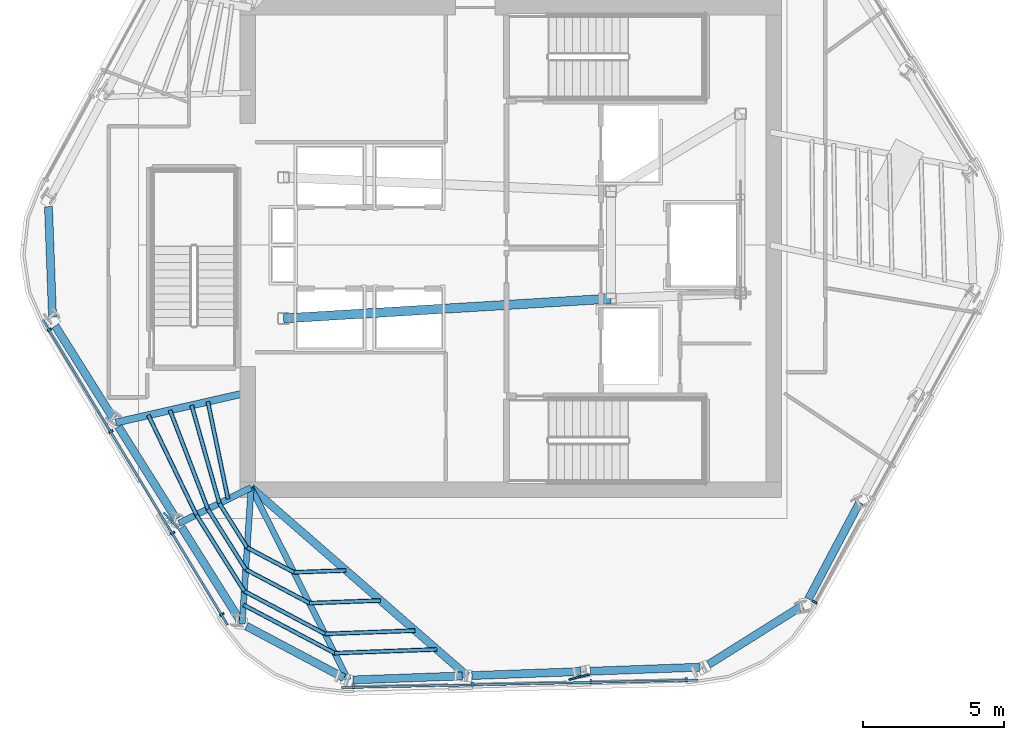
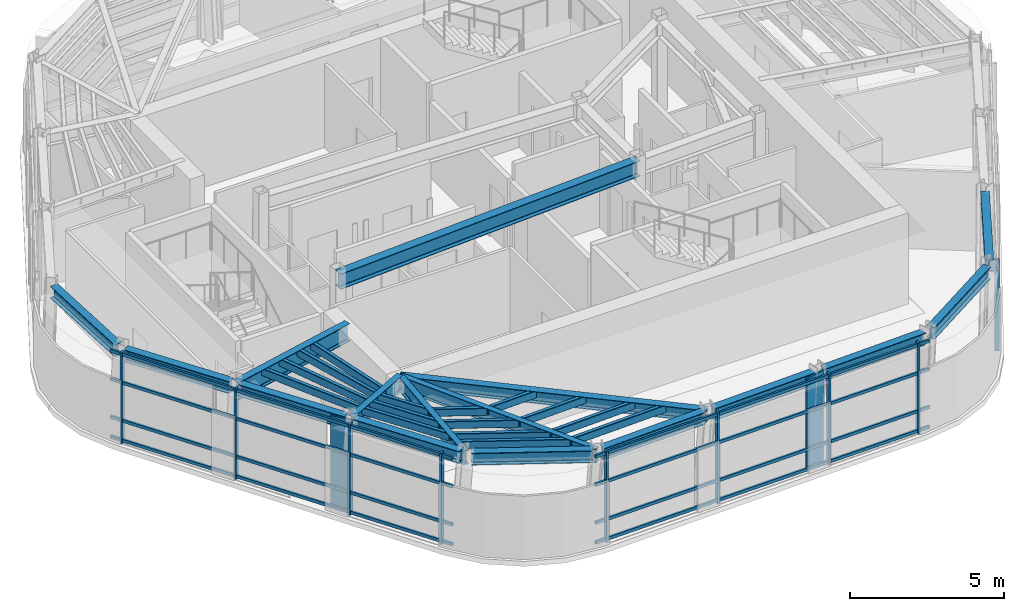
# One storey, part 2 of 13: 34 members, 16 beams, 3 elements without a shape of their own.
"""IFC4 building model written with IfcOpenShell, lengths in metres."""

from ifc_helpers import new_model, si_unit, direction, frame, origin, origin_2d, place, context, subcontext, project, spatial, rectangle, hollow_rectangle, i_section, extrude, material, layer, layer_set, material_profile, profile_set, type_object, element, aggregate, save


model = new_model("IFC4")

# Units and contexts
model_context = context("Model", 3, precision=1e-05, world=origin(), true_north=direction((0.0, 1.0)))
body_context = subcontext(model_context, "Body", "Model", "MODEL_VIEW")
ifc_project = project(units=[si_unit("LENGTHUNIT", "METRE"), si_unit("AREAUNIT", "SQUARE_METRE"), si_unit("VOLUMEUNIT", "CUBIC_METRE"), si_unit("PLANEANGLEUNIT", "RADIAN"), si_unit("MASSUNIT", "GRAM", prefix="KILO")], contexts=[model_context])

# Site, building, storey
site_placement = place(None, origin())
site = spatial("IfcSite", under=ifc_project, at=site_placement, CompositionType="ELEMENT")
building_placement = place(site_placement, origin())
building = spatial("IfcBuilding", under=site, at=building_placement, Name="Valkerne Bourse Tower", CompositionType="ELEMENT")
storey_placement = place(building_placement, frame((0.0, 0.0, 288.800048828125)))
storey = spatial("IfcBuildingStorey", under=building, at=storey_placement, Name="L73", CompositionType="ELEMENT", Elevation=288.800048828125)

# Beams
ifc_material_1 = material(Name="Steel ASTM A992", Category="steel")
ifc_material_profile_1 = material_profile(ifc_material_1, i_section(OverallWidth=0.284423828125, OverallDepth=0.47509765625, WebThickness=0.014892578125, FlangeThickness=0.02392578125, FilletRadius=0.017822265625, at=origin_2d()), Name="W18X106")
ifc_profile_set_1 = profile_set([ifc_material_profile_1], Name="Steel ASTM A992")
beam_type_1 = type_object("IfcBeamType", Name="BM-W18X106", PredefinedType="BEAM", material=ifc_profile_set_1)
beam_1_placement = place(storey_placement, frame((30.417724609375, 28.3583984375, 3.362548828125), z_axis=(0.036661137987, -0.999327754524, 0.0), x_axis=(0.999327754524, 0.036661137987, 0.0)))
element("IfcBeam", 1, at=beam_1_placement, inside=storey, type_object=beam_type_1, Name="L73 Hexagonal Spandrel Ring Beam 07", PredefinedType="BEAM", context=body_context, shape_type="SweptSolid", body=[
    extrude(i_section(OverallWidth=0.284423828125, OverallDepth=0.47509765625, WebThickness=0.014892578125, FlangeThickness=0.02392578125, FilletRadius=0.017822265625, at=origin_2d()), origin(), (0.0, 0.0, 1.0), 3.915771484375),
])
beam_2_placement = place(storey_placement, frame((30.65771484375, 24.131591796875, 3.362548828125), z_axis=(0.531381073492, -0.847132902639, 0.0), x_axis=(0.847132902639, 0.531381073492, 0.0)))
element("IfcBeam", 2, at=beam_2_placement, inside=storey, type_object=beam_type_1, Name="L73 Hexagonal Spandrel Ring Beam 08", PredefinedType="BEAM", context=body_context, shape_type="SweptSolid", body=[
    extrude(i_section(OverallWidth=0.284423828125, OverallDepth=0.47509765625, WebThickness=0.014892578125, FlangeThickness=0.02392578125, FilletRadius=0.017822265625, at=origin_2d()), origin(), (0.0, 0.0, 1.0), 3.872314453125),
])
for number, where, z_axis, x_axis, name in (
    (3, (32.89599609375, 20.5634765625, 3.362548828125), (0.531409456461, -0.847115098191, 0.0), (0.847115098191, 0.531409456461, 0.0), "L73 Hexagonal Spandrel Ring Beam 09"),
    (4, (35.13427734375, 16.995361328125, 3.362548828125), (0.531409456461, -0.847115098191, 0.0), (0.847115098191, 0.531409456461, 0.0), "L73 Hexagonal Spandrel Ring Beam 10"),
):
    element("IfcBeam", number, at=place(storey_placement, frame(where, z_axis=z_axis, x_axis=x_axis)), inside=storey, type_object=beam_type_1, Name=name, PredefinedType="BEAM", context=body_context, shape_type="SweptSolid", body=[
        extrude(i_section(OverallWidth=0.284423828125, OverallDepth=0.47509765625, WebThickness=0.014892578125, FlangeThickness=0.02392578125, FilletRadius=0.017822265625, at=origin_2d()), origin(), (0.0, 0.0, 1.0), 3.8720703125),
    ])
beam_3_placement = place(storey_placement, frame((37.432373046875, 13.49169921875, 3.362548828125), z_axis=(0.883772750327, -0.467916366223, 0.0), x_axis=(0.467916366223, 0.883772750327, 0.0)))
element("IfcBeam", 5, at=beam_3_placement, inside=storey, type_object=beam_type_1, Name="L73 Hexagonal Spandrel Ring Beam 11", PredefinedType="BEAM", context=body_context, shape_type="SweptSolid", body=[
    extrude(i_section(OverallWidth=0.284423828125, OverallDepth=0.47509765625, WebThickness=0.014892578125, FlangeThickness=0.02392578125, FilletRadius=0.017822265625, at=origin_2d()), origin(), (0.0, 0.0, 1.0), 3.915771484375),
])
beam_4_placement = place(storey_placement, frame((41.213134765625, 11.586181640625, 3.362548828125), z_axis=(0.999328754959, 0.036633857444, 0.0), x_axis=(-0.036633857444, 0.999328754959, 0.0)))
element("IfcBeam", 6, at=beam_4_placement, inside=storey, type_object=beam_type_1, Name="L73 Hexagonal Spandrel Ring Beam 12", PredefinedType="BEAM", context=body_context, shape_type="SweptSolid", body=[
    extrude(i_section(OverallWidth=0.284423828125, OverallDepth=0.47509765625, WebThickness=0.014892578125, FlangeThickness=0.02392578125, FilletRadius=0.017822265625, at=origin_2d()), origin(), (0.0, 0.0, 1.0), 3.8720703125),
])
beam_5_placement = place(storey_placement, frame((45.42236328125, 11.740478515625, 3.362548828125), z_axis=(0.999328670332, 0.036636165918, 0.0), x_axis=(-0.036636165918, 0.999328670332, 0.0)))
element("IfcBeam", 7, at=beam_5_placement, inside=storey, type_object=beam_type_1, Name="L73 Hexagonal Spandrel Ring Beam 13", PredefinedType="BEAM", context=body_context, shape_type="SweptSolid", body=[
    extrude(i_section(OverallWidth=0.284423828125, OverallDepth=0.47509765625, WebThickness=0.014892578125, FlangeThickness=0.02392578125, FilletRadius=0.017822265625, at=origin_2d()), origin(), (0.0, 0.0, 1.0), 3.871826171875),
])
beam_6_placement = place(storey_placement, frame((49.63134765625, 11.894775390625, 3.362548828125), z_axis=(0.999326444653, 0.036696825717, 0.0), x_axis=(-0.036696825717, 0.999326444653, 0.0)))
element("IfcBeam", 8, at=beam_6_placement, inside=storey, type_object=beam_type_1, Name="L73 Hexagonal Spandrel Ring Beam 14", PredefinedType="BEAM", context=body_context, shape_type="SweptSolid", body=[
    extrude(i_section(OverallWidth=0.284423828125, OverallDepth=0.47509765625, WebThickness=0.014892578125, FlangeThickness=0.02392578125, FilletRadius=0.017822265625, at=origin_2d()), origin(), (0.0, 0.0, 1.0), 3.8720703125),
])
beam_7_placement = place(storey_placement, frame((53.814697265625, 12.13330078125, 3.362548828125), z_axis=(0.847107374314, 0.531421768827, 0.0), x_axis=(-0.531421768827, 0.847107374314, 0.0)))
element("IfcBeam", 9, at=beam_7_placement, inside=storey, type_object=beam_type_1, Name="L73 Hexagonal Spandrel Ring Beam 15", PredefinedType="BEAM", context=body_context, shape_type="SweptSolid", body=[
    extrude(i_section(OverallWidth=0.284423828125, OverallDepth=0.47509765625, WebThickness=0.014892578125, FlangeThickness=0.02392578125, FilletRadius=0.017822265625, at=origin_2d()), origin(), (0.0, 0.0, 1.0), 3.91552734375),
])
beam_8_placement = place(storey_placement, frame((57.355224609375, 14.45458984375, 3.362548828125), z_axis=(0.467899308077, 0.883781781608, 0.0), x_axis=(-0.883781781608, 0.467899308077, 0.0)))
element("IfcBeam", 10, at=beam_8_placement, inside=storey, type_object=beam_type_1, Name="L73 Hexagonal Spandrel Ring Beam 16", PredefinedType="BEAM", context=body_context, shape_type="SweptSolid", body=[
    extrude(i_section(OverallWidth=0.284423828125, OverallDepth=0.47509765625, WebThickness=0.014892578125, FlangeThickness=0.02392578125, FilletRadius=0.017822265625, at=origin_2d()), origin(), (0.0, 0.0, 1.0), 3.8720703125),
])
ifc_material_profile_2 = material_profile(ifc_material_1, i_section(OverallWidth=0.279296875, OverallDepth=0.46240234375, WebThickness=0.0107421875, FlangeThickness=0.017333984375, FilletRadius=0.017822265625, at=origin_2d()), Name="W18X76")
ifc_profile_set_2 = profile_set([ifc_material_profile_2], Name="Steel ASTM A992")
beam_type_2 = type_object("IfcBeamType", Name="BM-W18X76", PredefinedType="BEAM", material=ifc_profile_set_2)
beam_9_placement = place(storey_placement, frame((45.25244140625, 11.734375, 3.36865234375), z_axis=(-0.754053153429, 0.656813399531, 0.0), x_axis=(-0.656813399531, -0.754053153429, 0.0)))
element("IfcBeam", 11, at=beam_9_placement, inside=storey, type_object=beam_type_2, Name="L73 Radial Composite Floor Beam 13", PredefinedType="BEAM", context=body_context, shape_type="SweptSolid", body=[
    extrude(i_section(OverallWidth=0.279296875, OverallDepth=0.46240234375, WebThickness=0.0107421875, FlangeThickness=0.017333984375, FilletRadius=0.017822265625, at=origin_2d()), origin(), (0.0, 0.0, 1.0), 10.148193359375),
])
ifc_material_profile_3 = material_profile(ifc_material_1, i_section(OverallWidth=0.209228515625, OverallDepth=0.533447265625, WebThickness=0.01025390625, FlangeThickness=0.015625, FilletRadius=0.017822265625, at=origin_2d()), Name="W21X62")
ifc_profile_set_3 = profile_set([ifc_material_profile_3], Name="Steel ASTM A992")
beam_type_3 = type_object("IfcBeamType", Name="BM-W21X62", PredefinedType="JOIST", material=ifc_profile_set_3)
beam_10_placement = place(storey_placement, frame((41.043212890625, 11.579833984375, 3.333251953125), z_axis=(-0.450674262677, 0.892688472515, 0.0), x_axis=(-0.892688472515, -0.450674262677, 0.0)))
element("IfcBeam", 12, at=beam_10_placement, inside=storey, type_object=beam_type_3, Name="L73 Radial Composite Floor Beam 12", PredefinedType="JOIST", context=body_context, shape_type="SweptSolid", body=[
    extrude(i_section(OverallWidth=0.209228515625, OverallDepth=0.533447265625, WebThickness=0.01025390625, FlangeThickness=0.015625, FilletRadius=0.017822265625, at=origin_2d()), origin(), (0.0, 0.0, 1.0), 7.639892578125),
])
ifc_material_profile_4 = material_profile(ifc_material_1, i_section(OverallWidth=0.2138671875, OverallDepth=0.548583984375, WebThickness=0.0146484375, FlangeThickness=0.023681640625, FilletRadius=0.017822265625, at=origin_2d()), Name="W21X93")
ifc_profile_set_4 = profile_set([ifc_material_profile_4], Name="Steel ASTM A992")
beam_type_4 = type_object("IfcBeamType", Name="BM-W21X93", PredefinedType="BEAM", material=ifc_profile_set_4)
beam_11_placement = place(storey_placement, frame((37.2822265625, 13.5712890625, 3.32568359375), z_axis=(0.065688538203, 0.997840175554, 0.0), x_axis=(-0.997840175554, 0.065688538203, 0.0)))
element("IfcBeam", 13, at=beam_11_placement, inside=storey, type_object=beam_type_4, Name="L73 Radial Composite Floor Beam 11", PredefinedType="BEAM", context=body_context, shape_type="SweptSolid", body=[
    extrude(i_section(OverallWidth=0.2138671875, OverallDepth=0.548583984375, WebThickness=0.0146484375, FlangeThickness=0.023681640625, FilletRadius=0.017822265625, at=origin_2d()), origin(), (0.0, 0.0, 1.0), 4.839111328125),
])
ifc_material_profile_5 = material_profile(ifc_material_1, i_section(OverallWidth=0.3251953125, OverallDepth=0.612060546875, WebThickness=0.0126953125, FlangeThickness=0.01904296875, FilletRadius=0.020263671875, at=origin_2d()), Name="W24X104")
ifc_profile_set_5 = profile_set([ifc_material_profile_5], Name="Steel ASTM A992")
beam_type_5 = type_object("IfcBeamType", Name="BM-W24X104", PredefinedType="BEAM", material=ifc_profile_set_5)
beam_12_placement = place(storey_placement, frame((38.75, 24.39990234375, 3.2939453125), z_axis=(0.998183228389, 0.060251494276, 0.0), x_axis=(-0.060251494276, 0.998183228389, 0.0)))
element("IfcBeam", 14, at=beam_12_placement, inside=storey, type_object=beam_type_5, Name="L73 Core Frame Girder CG-SW", PredefinedType="BEAM", context=body_context, shape_type="SweptSolid", body=[
    extrude(i_section(OverallWidth=0.3251953125, OverallDepth=0.612060546875, WebThickness=0.0126953125, FlangeThickness=0.01904296875, FilletRadius=0.020263671875, at=origin_2d()), origin(), (0.0, 0.0, 1.0), 11.62109375),
])
ifc_material_profile_6 = material_profile(ifc_material_1, i_section(OverallWidth=0.228271484375, OverallDepth=0.607177734375, WebThickness=0.01123046875, FlangeThickness=0.017333984375, FilletRadius=0.017822265625, at=origin_2d()), Name="W24X76")
ifc_profile_set_6 = profile_set([ifc_material_profile_6], Name="Steel ASTM A992")
beam_type_6 = type_object("IfcBeamType", Name="BM-W24X76", PredefinedType="JOIST", material=ifc_profile_set_6)
beam_13_placement = place(storey_placement, frame((35.0439453125, 17.139404296875, 3.29638671875), z_axis=(0.896880645519, 0.44227266216, 0.0), x_axis=(-0.44227266216, 0.896880645519, 0.0)))
element("IfcBeam", 15, at=beam_13_placement, inside=storey, type_object=beam_type_6, Name="L73 Radial Composite Floor Beam 10", PredefinedType="JOIST", context=body_context, shape_type="SweptSolid", body=[
    extrude(i_section(OverallWidth=0.228271484375, OverallDepth=0.607177734375, WebThickness=0.01123046875, FlangeThickness=0.017333984375, FilletRadius=0.017822265625, at=origin_2d()), origin(), (0.0, 0.0, 1.0), 2.85009765625),
])
ifc_material_profile_7 = material_profile(ifc_material_1, i_section(OverallWidth=0.255859375, OverallDepth=0.693359375, WebThickness=0.014404296875, FlangeThickness=0.023681640625, FilletRadius=0.02294921875, at=origin_2d()), Name="W27X114")
ifc_profile_set_7 = profile_set([ifc_material_profile_7], Name="Steel ASTM A992")
beam_type_7 = type_object("IfcBeamType", Name="BM-W27X114", PredefinedType="BEAM", material=ifc_profile_set_7)
beam_14_placement = place(storey_placement, frame((32.8056640625, 20.70751953125, 3.253173828125), z_axis=(0.975005891414, 0.222179008253, 0.0), x_axis=(-0.222179008253, 0.975005891414, 0.0)))
element("IfcBeam", 16, at=beam_14_placement, inside=storey, type_object=beam_type_7, Name="L73 Radial Composite Floor Beam 09", PredefinedType="BEAM", context=body_context, shape_type="SweptSolid", body=[
    extrude(i_section(OverallWidth=0.255859375, OverallDepth=0.693359375, WebThickness=0.014404296875, FlangeThickness=0.023681640625, FilletRadius=0.02294921875, at=origin_2d()), origin(), (0.0, 0.0, 1.0), 4.917236328125),
])

# Curtain wall, members
ifc_material_2 = material(Name="Aluminium AA 6063-T6", Category="aluminium")
ifc_layer = layer(ifc_material_2, 0.2451171875)
ifc_layer_set = layer_set([ifc_layer], Name="Aluminium AA 6063-T6")
curtain_wall_type = type_object("IfcCurtainWallType", Name="CW-05", PredefinedType="NOTDEFINED", material=ifc_layer_set)
curtain_wall_1_placement = place(storey_placement, origin())
curtain_wall_1 = element("IfcCurtainWall", 17, at=curtain_wall_1_placement, inside=storey, type_object=curtain_wall_type, Name="L73 Hexagonal Stick Curtain Wall Face 3", PredefinedType="NOTDEFINED")
ifc_material_profile_8 = material_profile(ifc_material_2, rectangle(XDim=0.074951171875, YDim=0.159912109375, at=origin_2d()), Name="CWM-75X160")
ifc_profile_set_8 = profile_set([ifc_material_profile_8], Name="Aluminium AA 6063-T6")
member_type_1 = type_object("IfcMemberType", Name="CW-MUL-160X75", PredefinedType="MULLION", material=ifc_profile_set_8)
member_1_placement = place(storey_placement, frame((30.453369140625, 23.995361328125, 0.0), z_axis=(0.0, 0.0, 1.0), x_axis=(0.518038606247, -0.855357236737, 0.0)))
member_1 = element("IfcMember", 18, at=member_1_placement, type_object=member_type_1, Name="CW-L73-F3 Jamb Mullion 00A", PredefinedType="MULLION", context=body_context, shape_type="SweptSolid", body=[
    extrude(rectangle(XDim=0.074951171875, YDim=0.159912109375, at=origin_2d()), origin(), (0.0, 0.0, 1.0), 3.599853515625),
])
member_2_placement = place(storey_placement, frame((32.63525390625, 20.392578125, 0.0), z_axis=(0.0, 0.0, 1.0), x_axis=(0.51802123581, -0.855367756728, 0.0)))
member_2 = element("IfcMember", 19, at=member_2_placement, type_object=member_type_1, Name="CW-L73-F3 Jamb Mullion 01A", PredefinedType="MULLION", context=body_context, shape_type="SweptSolid", body=[
    extrude(rectangle(XDim=0.074951171875, YDim=0.159912109375, at=origin_2d()), origin(), (0.0, 0.0, 1.0), 3.599853515625),
])
member_3_placement = place(storey_placement, frame((34.817138671875, 16.789794921875, 0.0), z_axis=(0.0, 0.0, 1.0), x_axis=(0.51802123581, -0.855367756728, 0.0)))
member_3 = element("IfcMember", 20, at=member_3_placement, type_object=member_type_1, Name="CW-L73-F3 Jamb Mullion 02A", PredefinedType="MULLION", context=body_context, shape_type="SweptSolid", body=[
    extrude(rectangle(XDim=0.074951171875, YDim=0.159912109375, at=origin_2d()), origin(), (0.0, 0.0, 1.0), 3.599853515625),
])
member_4_placement = place(storey_placement, frame((36.56396484375, 13.905517578125, 0.0), z_axis=(0.0, 0.0, 1.0), x_axis=(0.51802123581, -0.855367756728, 0.0)))
member_4 = element("IfcMember", 21, at=member_4_placement, type_object=member_type_1, Name="CW-L73-F3 Jamb Mullion 02B", PredefinedType="MULLION", context=body_context, shape_type="SweptSolid", body=[
    extrude(rectangle(XDim=0.074951171875, YDim=0.159912109375, at=origin_2d()), origin(), (0.0, 0.0, 1.0), 3.599853515625),
])

curtain_wall_2_placement = place(storey_placement, origin())
curtain_wall_2 = element("IfcCurtainWall", 22, at=curtain_wall_2_placement, inside=storey, type_object=curtain_wall_type, Name="L73 Hexagonal Stick Curtain Wall Face 4", PredefinedType="NOTDEFINED")
member_5_placement = place(storey_placement, frame((41.228759765625, 11.34130859375, 0.0), z_axis=(0.0, 0.0, 1.0), x_axis=(0.999780733034, 0.020940053823, 0.0)))
member_5 = element("IfcMember", 23, at=member_5_placement, type_object=member_type_1, Name="CW-L73-F4 Jamb Mullion 00A", PredefinedType="MULLION", context=body_context, shape_type="SweptSolid", body=[
    extrude(rectangle(XDim=0.074951171875, YDim=0.159912109375, at=origin_2d()), origin(), (0.0, 0.0, 1.0), 3.599853515625),
])
member_6_placement = place(storey_placement, frame((45.439697265625, 11.429443359375, 0.0), z_axis=(0.0, 0.0, 1.0), x_axis=(0.999780722623, 0.020940550871, 0.0)))
member_6 = element("IfcMember", 24, at=member_6_placement, type_object=member_type_1, Name="CW-L73-F4 Jamb Mullion 01A", PredefinedType="MULLION", context=body_context, shape_type="SweptSolid", body=[
    extrude(rectangle(XDim=0.074951171875, YDim=0.159912109375, at=origin_2d()), origin(), (0.0, 0.0, 1.0), 3.599853515625),
])
member_7_placement = place(storey_placement, frame((49.65087890625, 11.517578125, 0.0), z_axis=(0.0, 0.0, 1.0), x_axis=(0.999780733034, 0.020940053823, 0.0)))
member_7 = element("IfcMember", 25, at=member_7_placement, type_object=member_type_1, Name="CW-L73-F4 Jamb Mullion 02A", PredefinedType="MULLION", context=body_context, shape_type="SweptSolid", body=[
    extrude(rectangle(XDim=0.074951171875, YDim=0.159912109375, at=origin_2d()), origin(), (0.0, 0.0, 1.0), 3.599853515625),
])
member_8_placement = place(storey_placement, frame((53.022216796875, 11.588134765625, 0.0), z_axis=(0.0, 0.0, 1.0), x_axis=(0.999780733034, 0.020940053823, 0.0)))
member_8 = element("IfcMember", 26, at=member_8_placement, type_object=member_type_1, Name="CW-L73-F4 Jamb Mullion 02B", PredefinedType="MULLION", context=body_context, shape_type="SweptSolid", body=[
    extrude(rectangle(XDim=0.074951171875, YDim=0.159912109375, at=origin_2d()), origin(), (0.0, 0.0, 1.0), 3.599853515625),
])

# Curtain wall, member
curtain_wall_3_placement = place(storey_placement, origin())
curtain_wall_3 = element("IfcCurtainWall", 27, at=curtain_wall_3_placement, inside=storey, type_object=curtain_wall_type, Name="L73 Hexagonal Stick Curtain Wall Face 5", PredefinedType="NOTDEFINED")
member_9_placement = place(storey_placement, frame((57.5751953125, 14.345703125, 0.0), z_axis=(0.0, 0.0, 1.0), x_axis=(0.481763806894, 0.876301109418, 0.0)))
member_9 = element("IfcMember", 28, at=member_9_placement, type_object=member_type_1, Name="CW-L73-F5 Jamb Mullion 00A", PredefinedType="MULLION", context=body_context, shape_type="SweptSolid", body=[
    extrude(rectangle(XDim=0.074951171875, YDim=0.159912109375, at=origin_2d()), origin(), (0.0, 0.0, 1.0), 3.599853515625),
])
aggregate(curtain_wall_3, [member_9])

# Member
ifc_material_profile_9 = material_profile(ifc_material_2, rectangle(XDim=0.074951171875, YDim=0.1201171875, at=origin_2d()), Name="CWT-75X120")
ifc_profile_set_9 = profile_set([ifc_material_profile_9], Name="Aluminium AA 6063-T6")
member_type_2 = type_object("IfcMemberType", Name="CW-TRN-120X75", PredefinedType="USERDEFINED", material=ifc_profile_set_9)
member_10_placement = place(storey_placement, frame((30.21875, 24.34423828125, 0.119873046875), z_axis=(0.518020356507, -0.855368289244, 0.0), x_axis=(0.855368289244, 0.518020356507, 0.0)))
member_10 = element("IfcMember", 29, at=member_10_placement, type_object=member_type_2, Name="CW-L73-F3 Continuous Face Transom 1", ObjectType="TRANSOM", PredefinedType="USERDEFINED", context=body_context, shape_type="SweptSolid", body=[
    extrude(rectangle(XDim=0.074951171875, YDim=0.1201171875, at=origin_2d()), origin(), (0.0, 0.0, 1.0), 12.635986328125),
])

member_11_placement = place(storey_placement, frame((30.21875, 24.34423828125, 0.89990234375), z_axis=(0.518020356507, -0.855368289244, 0.0), x_axis=(0.855368289244, 0.518020356507, 0.0)))
member_11 = element("IfcMember", 30, at=member_11_placement, type_object=member_type_2, Name="CW-L73-F3 Continuous Face Transom 2", ObjectType="TRANSOM", PredefinedType="USERDEFINED", context=body_context, shape_type="SweptSolid", body=[
    extrude(rectangle(XDim=0.074951171875, YDim=0.1201171875, at=origin_2d()), origin(), (0.0, 0.0, 1.0), 12.635986328125),
])

member_12_placement = place(storey_placement, frame((30.21875, 24.34423828125, 2.39990234375), z_axis=(0.518020356507, -0.855368289244, 0.0), x_axis=(0.855368289244, 0.518020356507, 0.0)))
member_12 = element("IfcMember", 31, at=member_12_placement, type_object=member_type_2, Name="CW-L73-F3 Continuous Face Transom 3", ObjectType="TRANSOM", PredefinedType="USERDEFINED", context=body_context, shape_type="SweptSolid", body=[
    extrude(rectangle(XDim=0.074951171875, YDim=0.1201171875, at=origin_2d()), origin(), (0.0, 0.0, 1.0), 12.635986328125),
])

member_13_placement = place(storey_placement, frame((30.21875, 24.34423828125, 3.52001953125), z_axis=(0.518020356507, -0.855368289244, 0.0), x_axis=(0.855368289244, 0.518020356507, 0.0)))
member_13 = element("IfcMember", 32, at=member_13_placement, type_object=member_type_2, Name="CW-L73-F3 Continuous Face Transom 4", ObjectType="TRANSOM", PredefinedType="USERDEFINED", context=body_context, shape_type="SweptSolid", body=[
    extrude(rectangle(XDim=0.074951171875, YDim=0.1201171875, at=origin_2d()), origin(), (0.0, 0.0, 1.0), 12.635986328125),
])

aggregate(curtain_wall_1, [member_10, member_11, member_12, member_13, member_1, member_2, member_3, member_4])

member_14_placement = place(storey_placement, frame((40.80908203125, 11.3125, 0.119873046875), z_axis=(0.999781057183, 0.020924571656, 0.0), x_axis=(-0.020924571656, 0.999781057183, 0.0)))
member_14 = element("IfcMember", 33, at=member_14_placement, type_object=member_type_2, Name="CW-L73-F4 Continuous Face Transom 1", ObjectType="TRANSOM", PredefinedType="USERDEFINED", context=body_context, shape_type="SweptSolid", body=[
    extrude(rectangle(XDim=0.074951171875, YDim=0.1201171875, at=origin_2d()), origin(), (0.0, 0.0, 1.0), 12.635986328125),
])

member_15_placement = place(storey_placement, frame((40.80908203125, 11.3125, 0.89990234375), z_axis=(0.999781057183, 0.020924571656, 0.0), x_axis=(-0.020924571656, 0.999781057183, 0.0)))
member_15 = element("IfcMember", 34, at=member_15_placement, type_object=member_type_2, Name="CW-L73-F4 Continuous Face Transom 2", ObjectType="TRANSOM", PredefinedType="USERDEFINED", context=body_context, shape_type="SweptSolid", body=[
    extrude(rectangle(XDim=0.074951171875, YDim=0.1201171875, at=origin_2d()), origin(), (0.0, 0.0, 1.0), 12.635986328125),
])

member_16_placement = place(storey_placement, frame((40.80908203125, 11.3125, 2.39990234375), z_axis=(0.999781057183, 0.020924571656, 0.0), x_axis=(-0.020924571656, 0.999781057183, 0.0)))
member_16 = element("IfcMember", 35, at=member_16_placement, type_object=member_type_2, Name="CW-L73-F4 Continuous Face Transom 3", ObjectType="TRANSOM", PredefinedType="USERDEFINED", context=body_context, shape_type="SweptSolid", body=[
    extrude(rectangle(XDim=0.074951171875, YDim=0.1201171875, at=origin_2d()), origin(), (0.0, 0.0, 1.0), 12.635986328125),
])

member_17_placement = place(storey_placement, frame((40.80908203125, 11.3125, 3.52001953125), z_axis=(0.999781057183, 0.020924571656, 0.0), x_axis=(-0.020924571656, 0.999781057183, 0.0)))
member_17 = element("IfcMember", 36, at=member_17_placement, type_object=member_type_2, Name="CW-L73-F4 Continuous Face Transom 4", ObjectType="TRANSOM", PredefinedType="USERDEFINED", context=body_context, shape_type="SweptSolid", body=[
    extrude(rectangle(XDim=0.074951171875, YDim=0.1201171875, at=origin_2d()), origin(), (0.0, 0.0, 1.0), 12.635986328125),
])

aggregate(curtain_wall_2, [member_14, member_15, member_16, member_17, member_5, member_6, member_7, member_8])

# Members
ifc_material_3 = material(Name="Bronze Anodised Aluminium AA 6063-T6", Category="aluminium")
ifc_material_profile_10 = material_profile(ifc_material_3, rectangle(XDim=0.06494140625, YDim=0.75, at=origin_2d()), Name="FIN-65X750")
ifc_profile_set_10 = profile_set([ifc_material_profile_10], Name="Bronze Anodised Aluminium AA 6063-T6")
member_type_3 = type_object("IfcMemberType", Name="FIN-SOLAR-650", PredefinedType="USERDEFINED", material=ifc_profile_set_10)
for number, where, z_axis, x_axis, name in (
    (37, (34.753662109375, 17.2421875, 0.00390625), (0.0, 0.0, 1.0), (-0.742755613821, -0.66956261704, 0.0), "L73 Bronze Anodised Solar Fin F3-02"),
    (38, (49.227294921875, 11.688720703125, 0.00390625), (0.0, 0.0, 1.0), (0.246932927308, -0.969032573968, 0.0), "L73 Bronze Anodised Solar Fin F4-02"),
):
    element("IfcMember", number, at=place(storey_placement, frame(where, z_axis=z_axis, x_axis=x_axis)), inside=storey, type_object=member_type_3, Name=name, ObjectType="SOLAR_FIN", PredefinedType="USERDEFINED", context=body_context, shape_type="SweptSolid", body=[
        extrude(rectangle(XDim=0.06494140625, YDim=0.75, at=origin_2d()), origin(), (0.0, 0.0, 1.0), 3.592041015625),
    ])
ifc_material_4 = material(Name="Steel ASTM A500 Grade C", Category="steel")
ifc_material_profile_11 = material_profile(ifc_material_4, hollow_rectangle(XDim=0.14990234375, YDim=0.300048828125, WallThickness=0.012451171875, OuterFilletRadius=0.02490234375, at=origin_2d()), Name="HSS300X150X12.5")
ifc_profile_set_11 = profile_set([ifc_material_profile_11], Name="Steel ASTM A500 Grade C")
member_type_4 = type_object("IfcMemberType", Name="MBR-HSS300X150X12.5", PredefinedType="PURLIN", material=ifc_profile_set_11)
member_18_placement = place(storey_placement, frame((36.06591796875, 21.450439453125, 3.43994140625), z_axis=(0.20300611567, -0.979177469615, 0.0), x_axis=(0.979177469615, 0.20300611567, 0.0)))
element("IfcMember", 39, at=member_18_placement, inside=storey, type_object=member_type_4, Name="L73 Secondary Composite Floor Purlin I-09", PredefinedType="PURLIN", context=body_context, shape_type="SweptSolid", body=[
    extrude(hollow_rectangle(XDim=0.14990234375, YDim=0.300048828125, WallThickness=0.012451171875, OuterFilletRadius=0.02490234375, at=origin_2d()), origin(), (0.0, 0.0, 1.0), 3.52734375),
])
member_19_placement = place(storey_placement, frame((35.490478515625, 21.3193359375, 3.43994140625), z_axis=(0.272738171935, -0.96208829614, 0.0), x_axis=(0.96208829614, 0.272738171935, 0.0)))
element("IfcMember", 40, at=member_19_placement, inside=storey, type_object=member_type_4, Name="L73 Secondary Composite Floor Purlin K-09", PredefinedType="PURLIN", context=body_context, shape_type="SweptSolid", body=[
    extrude(hollow_rectangle(XDim=0.14990234375, YDim=0.300048828125, WallThickness=0.012451171875, OuterFilletRadius=0.02490234375, at=origin_2d()), origin(), (0.0, 0.0, 1.0), 3.611083984375),
])
member_20_placement = place(storey_placement, frame((36.475341796875, 17.84521484375, 3.43994140625), z_axis=(0.531442880283, -0.84709412995, 0.0), x_axis=(0.84709412995, 0.531442880283, 0.0)))
element("IfcMember", 41, at=member_20_placement, inside=storey, type_object=member_type_4, Name="L73 Secondary Composite Floor Purlin K-10", PredefinedType="PURLIN", context=body_context, shape_type="SweptSolid", body=[
    extrude(hollow_rectangle(XDim=0.14990234375, YDim=0.300048828125, WallThickness=0.012451171875, OuterFilletRadius=0.02490234375, at=origin_2d()), origin(), (0.0, 0.0, 1.0), 1.853271484375),
])
member_21_placement = place(storey_placement, frame((37.460205078125, 16.275390625, 3.43994140625), z_axis=(0.883753026955, -0.467953616663, 0.0), x_axis=(0.467953616663, 0.883753026955, 0.0)))
element("IfcMember", 42, at=member_21_placement, inside=storey, type_object=member_type_4, Name="L73 Secondary Composite Floor Purlin K-11", PredefinedType="PURLIN", context=body_context, shape_type="SweptSolid", body=[
    extrude(hollow_rectangle(XDim=0.14990234375, YDim=0.300048828125, WallThickness=0.012451171875, OuterFilletRadius=0.02490234375, at=origin_2d()), origin(), (0.0, 0.0, 1.0), 1.87255859375),
])
member_22_placement = place(storey_placement, frame((39.114990234375, 15.399169921875, 3.43994140625), z_axis=(0.99932919428, 0.036621871343, 0.0), x_axis=(-0.036621871343, 0.99932919428, 0.0)))
element("IfcMember", 43, at=member_22_placement, inside=storey, type_object=member_type_4, Name="L73 Secondary Composite Floor Purlin K-12", PredefinedType="PURLIN", context=body_context, shape_type="SweptSolid", body=[
    extrude(hollow_rectangle(XDim=0.14990234375, YDim=0.300048828125, WallThickness=0.012451171875, OuterFilletRadius=0.02490234375, at=origin_2d()), origin(), (0.0, 0.0, 1.0), 1.853271484375),
])
member_23_placement = place(storey_placement, frame((33.956298828125, 20.969482421875, 3.43994140625), z_axis=(0.434375958246, -0.900731661983, 0.0), x_axis=(0.900731661983, 0.434375958246, 0.0)))
element("IfcMember", 44, at=member_23_placement, inside=storey, type_object=member_type_4, Name="L73 Secondary Composite Floor Purlin O-09", PredefinedType="PURLIN", context=body_context, shape_type="SweptSolid", body=[
    extrude(hollow_rectangle(XDim=0.14990234375, YDim=0.300048828125, WallThickness=0.012451171875, OuterFilletRadius=0.02490234375, at=origin_2d()), origin(), (0.0, 0.0, 1.0), 3.916259765625),
])
member_24_placement = place(storey_placement, frame((35.657470703125, 17.44189453125, 3.43994140625), z_axis=(0.531376250219, -0.847135928115, 0.0), x_axis=(0.847135928115, 0.531376250219, 0.0)))
element("IfcMember", 45, at=member_24_placement, inside=storey, type_object=member_type_4, Name="L73 Secondary Composite Floor Purlin O-10", PredefinedType="PURLIN", context=body_context, shape_type="SweptSolid", body=[
    extrude(hollow_rectangle(XDim=0.14990234375, YDim=0.300048828125, WallThickness=0.012451171875, OuterFilletRadius=0.02490234375, at=origin_2d()), origin(), (0.0, 0.0, 1.0), 3.200927734375),
])
member_25_placement = place(storey_placement, frame((37.3583984375, 14.730224609375, 3.43994140625), z_axis=(0.883767718429, -0.46792587005, 0.0), x_axis=(0.46792587005, 0.883767718429, 0.0)))
element("IfcMember", 46, at=member_25_placement, inside=storey, type_object=member_type_4, Name="L73 Secondary Composite Floor Purlin O-11", PredefinedType="PURLIN", context=body_context, shape_type="SweptSolid", body=[
    extrude(hollow_rectangle(XDim=0.14990234375, YDim=0.300048828125, WallThickness=0.012451171875, OuterFilletRadius=0.02490234375, at=origin_2d()), origin(), (0.0, 0.0, 1.0), 3.234375),
])
member_26_placement = place(storey_placement, frame((40.216796875, 13.216796875, 3.43994140625), z_axis=(0.999329692375, 0.036608276909, 0.0), x_axis=(-0.036608276909, 0.999329692375, 0.0)))
element("IfcMember", 47, at=member_26_placement, inside=storey, type_object=member_type_4, Name="L73 Secondary Composite Floor Purlin O-12", PredefinedType="PURLIN", context=body_context, shape_type="SweptSolid", body=[
    extrude(hollow_rectangle(XDim=0.14990234375, YDim=0.300048828125, WallThickness=0.012451171875, OuterFilletRadius=0.02490234375, at=origin_2d()), origin(), (0.0, 0.0, 1.0), 3.201171875),
])
member_27_placement = place(storey_placement, frame((34.723388671875, 21.144287109375, 3.43994140625), z_axis=(0.358184843209, -0.933650693833, 0.0), x_axis=(0.933650693833, 0.358184843209, 0.0)))
element("IfcMember", 48, at=member_27_placement, inside=storey, type_object=member_type_4, Name="L73 Secondary Composite Floor Purlin Z-09", PredefinedType="PURLIN", context=body_context, shape_type="SweptSolid", body=[
    extrude(hollow_rectangle(XDim=0.14990234375, YDim=0.300048828125, WallThickness=0.012451171875, OuterFilletRadius=0.02490234375, at=origin_2d()), origin(), (0.0, 0.0, 1.0), 3.74951171875),
])
member_28_placement = place(storey_placement, frame((36.06640625, 17.6435546875, 3.43994140625), z_axis=(0.531344272149, -0.847155985905, 0.0), x_axis=(0.847155985905, 0.531344272149, 0.0)))
element("IfcMember", 49, at=member_28_placement, inside=storey, type_object=member_type_4, Name="L73 Secondary Composite Floor Purlin Z-10", PredefinedType="PURLIN", context=body_context, shape_type="SweptSolid", body=[
    extrude(hollow_rectangle(XDim=0.14990234375, YDim=0.300048828125, WallThickness=0.012451171875, OuterFilletRadius=0.02490234375, at=origin_2d()), origin(), (0.0, 0.0, 1.0), 2.527099609375),
])
member_29_placement = place(storey_placement, frame((37.4091796875, 15.502685546875, 3.43994140625), z_axis=(0.883783265193, -0.467896505826, 0.0), x_axis=(0.467896505826, 0.883783265193, 0.0)))
element("IfcMember", 50, at=member_29_placement, inside=storey, type_object=member_type_4, Name="L73 Secondary Composite Floor Purlin Z-11", PredefinedType="PURLIN", context=body_context, shape_type="SweptSolid", body=[
    extrude(hollow_rectangle(XDim=0.14990234375, YDim=0.300048828125, WallThickness=0.012451171875, OuterFilletRadius=0.02490234375, at=origin_2d()), origin(), (0.0, 0.0, 1.0), 2.5537109375),
])
member_30_placement = place(storey_placement, frame((39.666015625, 14.307861328125, 3.43994140625), z_axis=(0.99932590537, 0.036711508511, 0.0), x_axis=(-0.036711508511, 0.99932590537, 0.0)))
element("IfcMember", 51, at=member_30_placement, inside=storey, type_object=member_type_4, Name="L73 Secondary Composite Floor Purlin Z-12", PredefinedType="PURLIN", context=body_context, shape_type="SweptSolid", body=[
    extrude(hollow_rectangle(XDim=0.14990234375, YDim=0.300048828125, WallThickness=0.012451171875, OuterFilletRadius=0.02490234375, at=origin_2d()), origin(), (0.0, 0.0, 1.0), 2.527099609375),
])
member_31_placement = place(storey_placement, frame((37.32666015625, 14.247314453125, 3.43994140625), z_axis=(0.883765199789, -0.467930626954, 0.0), x_axis=(0.467930626954, 0.883765199789, 0.0)))
element("IfcMember", 52, at=member_31_placement, inside=storey, type_object=member_type_4, Name="L73 Secondary Composite Floor Purlin T-11", PredefinedType="PURLIN", context=body_context, shape_type="SweptSolid", body=[
    extrude(hollow_rectangle(XDim=0.14990234375, YDim=0.300048828125, WallThickness=0.012451171875, OuterFilletRadius=0.02490234375, at=origin_2d()), origin(), (0.0, 0.0, 1.0), 3.66015625),
])
member_32_placement = place(storey_placement, frame((40.561279296875, 12.53466796875, 3.43994140625), z_axis=(0.999327607235, 0.03666515265, 0.0), x_axis=(-0.03666515265, 0.999327607235, 0.0)))
element("IfcMember", 53, at=member_32_placement, inside=storey, type_object=member_type_4, Name="L73 Secondary Composite Floor Purlin T-12", PredefinedType="PURLIN", context=body_context, shape_type="SweptSolid", body=[
    extrude(hollow_rectangle(XDim=0.14990234375, YDim=0.300048828125, WallThickness=0.012451171875, OuterFilletRadius=0.02490234375, at=origin_2d()), origin(), (0.0, 0.0, 1.0), 3.622314453125),
])

save(model, "model.ifc")
